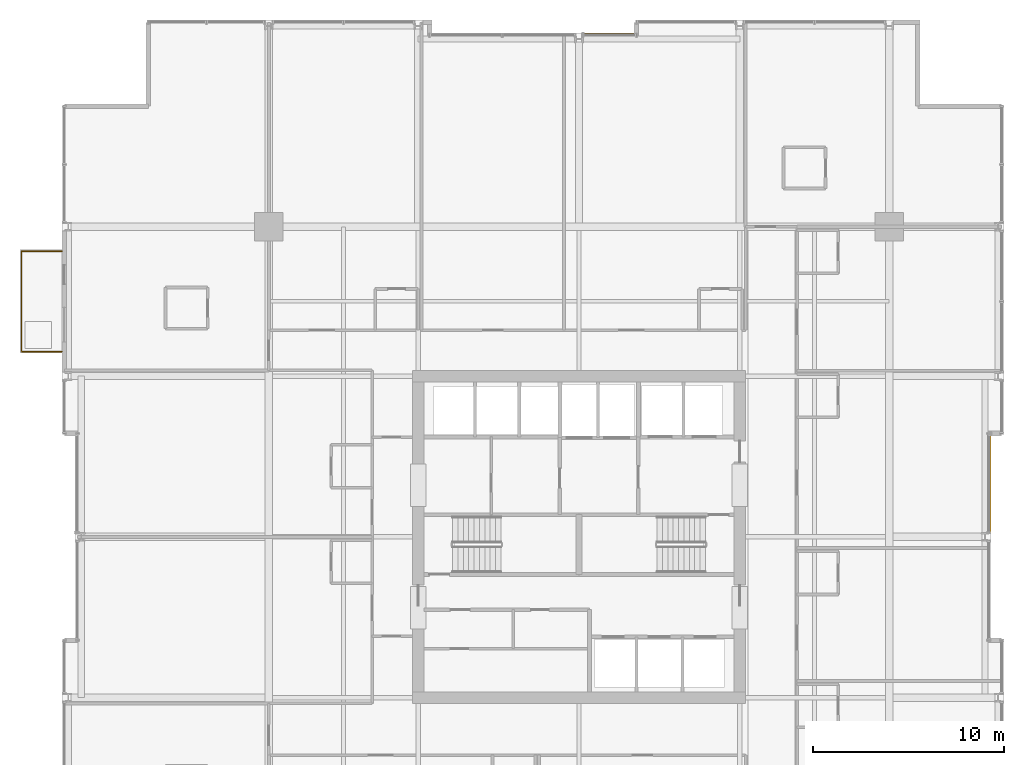
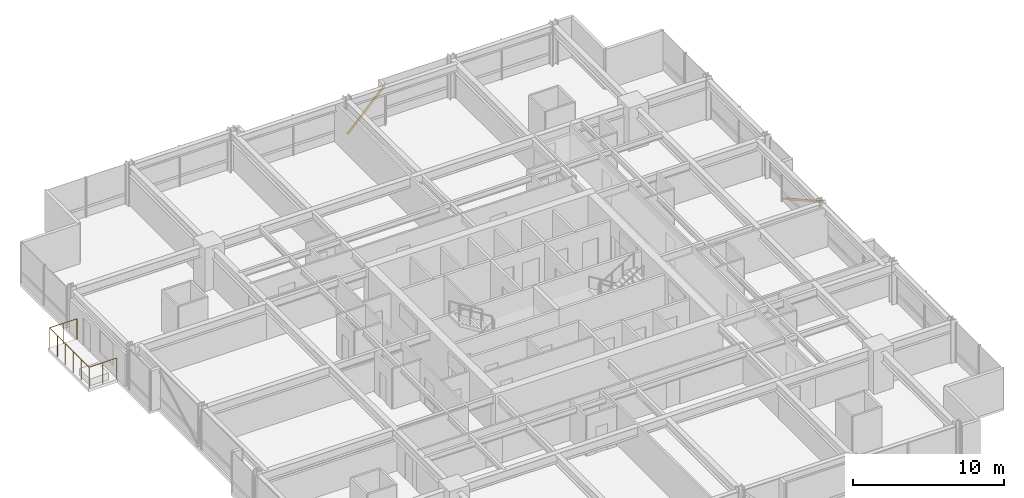
# One storey, part 34 of 34: 2 shading devices, 1 railing.
"""IFC4 building model written with IfcOpenShell, lengths in metres."""

import ifcopenshell
import ifcopenshell.guid

model = None  # the IFC model being written
_history = None  # IfcOwnerHistory: only IFC2X3 demands one
_inside = {}  # id of a spatial element -> (the spatial element, [elements in it])
_under = {}  # id of a project, library or spatial element -> (it, [spatial elements below it])
_declared = {}  # id of a project -> (the project, [libraries it declares])
_typed = {}  # id of a type object -> (the type object, [elements of that type])
_made_of = {}  # id of a material, layer set ... -> (it, [elements and type objects made of it])


def new_model(schema):
    """Start an empty IFC model of exactly this schema.

    Asked for "IFC4X3", IfcOpenShell would pick the latest addendum, in which some entities
    have other attributes; the version numbers below select the first issue.
    IFC2X3 requires an IfcOwnerHistory on every rooted entity: one is made here for all.
    """
    global model, _history
    if schema == "IFC4X3":
        model = ifcopenshell.file(schema_version=(4, 3, 0, 0))
    else:
        model = ifcopenshell.file(schema=schema)
    _inside.clear()
    _under.clear()
    _declared.clear()
    _typed.clear()
    _made_of.clear()
    _history = None
    if model.schema == "IFC2X3":
        org = make("IfcOrganization", Name="unknown")
        user = make(
            "IfcPersonAndOrganization",
            ThePerson=make("IfcPerson", FamilyName="unknown"),
            TheOrganization=org,
        )
        app = make(
            "IfcApplication",
            ApplicationDeveloper=org,
            Version="unknown",
            ApplicationFullName="unknown",
            ApplicationIdentifier="unknown",
        )
        _history = make(
            "IfcOwnerHistory",
            OwningUser=user,
            OwningApplication=app,
            ChangeAction="ADDED",
            CreationDate=0,
        )
    return model


def make(cls, **values):
    """One entity of the class cls with the attributes given. An attribute that is None is left unset."""
    return model.create_entity(
        cls, **{name: value for name, value in values.items() if value is not None}
    )


def rooted(cls, **values):
    """An entity with a GlobalId (a new one), such as an element, a storey or a relation."""
    return make(cls, GlobalId=ifcopenshell.guid.new(), OwnerHistory=_history, **values)


def si_unit(unit_type, name, prefix=None):
    """IfcSIUnit, for example si_unit("LENGTHUNIT", "METRE", prefix="MILLI")."""
    return make("IfcSIUnit", UnitType=unit_type, Prefix=prefix, Name=name)


def assignment(units):
    """IfcUnitAssignment: the units of a project."""
    return None if units is None else make("IfcUnitAssignment", Units=units)


def point(xyz):
    """IfcCartesianPoint."""
    return None if xyz is None else make("IfcCartesianPoint", Coordinates=xyz)


def direction(xyz):
    """IfcDirection."""
    return None if xyz is None else make("IfcDirection", DirectionRatios=xyz)


def frame(location, z_axis=None, x_axis=None):
    """IfcAxis2Placement3D, a coordinate frame: its origin and axes. An axis left out is left unset."""
    return make(
        "IfcAxis2Placement3D",
        Location=point(location),
        Axis=direction(z_axis),
        RefDirection=direction(x_axis),
    )


def frame_2d(location, x_axis=None):
    """IfcAxis2Placement2D, a coordinate frame in the plane: its origin and x axis."""
    return make(
        "IfcAxis2Placement2D", Location=point(location), RefDirection=direction(x_axis)
    )


def origin():
    """The frame at (0, 0, 0) with its axes left unset."""
    return frame((0.0, 0.0, 0.0))


def origin_2d():
    """The frame at (0, 0) in the plane with its x axis left unset."""
    return frame_2d((0.0, 0.0))


def place(relative_to, where):
    """IfcLocalPlacement: puts the frame where relative to a parent placement (None: the world)."""
    return make(
        "IfcLocalPlacement", PlacementRelTo=relative_to, RelativePlacement=where
    )


def context(
    kind, dimensions, precision=None, world=None, true_north=None, identifier=None
):
    """IfcGeometricRepresentationContext, for example the 3D "Model" context."""
    return make(
        "IfcGeometricRepresentationContext",
        ContextIdentifier=identifier,
        ContextType=kind,
        CoordinateSpaceDimension=dimensions,
        Precision=precision,
        WorldCoordinateSystem=world,
        TrueNorth=true_north,
    )


def subcontext(parent, identifier, kind, view, scale=None):
    """IfcGeometricRepresentationSubContext, for example "Body" below "Model"."""
    return make(
        "IfcGeometricRepresentationSubContext",
        ContextIdentifier=identifier,
        ContextType=kind,
        ParentContext=parent,
        TargetScale=scale,
        TargetView=view,
    )


def project(units=None, contexts=None):
    """IfcProject with its units and contexts."""
    return rooted(
        "IfcProject",
        Name="project",
        RepresentationContexts=contexts,
        UnitsInContext=assignment(units),
    )


def spatial(cls, under=None, at=None, **own):
    """A site, building, storey or space (cls), placed at a placement, below another one or the project."""
    s = rooted(cls, ObjectPlacement=at, **own)
    if under is not None:
        _under.setdefault(under.id(), (under, []))[1].append(s)
    return s


def profile(cls, at=None, kind="AREA", **sizes):
    """A parametric profile (cls). Its sizes go by their IFC names, for example OverallWidth=200.0."""
    return make(cls, ProfileType=kind, Position=at, **sizes)


def hollow_rectangle(**sizes):
    """IfcRectangleHollowProfileDef."""
    return profile("IfcRectangleHollowProfileDef", **sizes)


def circle(**sizes):
    """IfcCircleProfileDef."""
    return profile("IfcCircleProfileDef", **sizes)


def extrude(swept, where, along, depth):
    """IfcExtrudedAreaSolid: the profile swept, set in the frame where, extruded along a direction by depth."""
    return make(
        "IfcExtrudedAreaSolid",
        SweptArea=swept,
        Position=where,
        ExtrudedDirection=direction(along),
        Depth=depth,
    )


def shape(context_of_items, identifier, shape_type, items):
    """IfcShapeRepresentation: the items that make up one representation, for example the "Body"."""
    return make(
        "IfcShapeRepresentation",
        ContextOfItems=context_of_items,
        RepresentationIdentifier=identifier,
        RepresentationType=shape_type,
        Items=items,
    )


def material(Name=None, Category=None):
    """IfcMaterial."""
    return make("IfcMaterial", Name=Name, Category=Category)


def material_profile(
    of_material, cross_section, Name=None, Category=None, Priority=None
):
    """IfcMaterialProfile: a cross section and its material."""
    return make(
        "IfcMaterialProfile",
        Name=Name,
        Material=of_material,
        Profile=cross_section,
        Priority=Priority,
        Category=Category,
    )


def profile_set(profiles, Name=None, composite=None):
    """IfcMaterialProfileSet."""
    return make(
        "IfcMaterialProfileSet",
        Name=Name,
        MaterialProfiles=profiles,
        CompositeProfile=composite,
    )


def made_of(thing, what):
    """Note that an element or type object is made of a material, layer set ...; save() writes the relation."""
    if what is not None:
        _made_of.setdefault(what.id(), (what, []))[1].append(thing)
    return thing


def type_object(cls, material=None, **own):
    """A type object (cls), such as IfcWallType, which elements share."""
    return made_of(rooted(cls, **own), material)


def element(
    cls,
    number,
    at=None,
    inside=None,
    cuts=None,
    type_object=None,
    material=None,
    context=None,
    identifier="Body",
    shape_type=None,
    held_by="IfcProductDefinitionShape",
    body=None,
    shapes=None,
    **own,
):
    """One element of the class cls, such as IfcWall. Its Tag is "e" and its number.

    at: its placement. inside: the storey or other place that contains it. cuts: it is an
    opening in that element (IfcRelVoidsElement). A single representation is given by context,
    identifier, shape_type and body (its items); several are given by shapes. held_by: the class
    of the entity that holds the representations. save() writes the other relations.
    """
    e = rooted(cls, Tag="e%d" % number, ObjectPlacement=at, **own)
    if body is not None:
        shapes = [shape(context, identifier, shape_type, body)]
    if shapes is not None:
        e.Representation = make(held_by, Representations=shapes)
    if inside is not None:
        _inside.setdefault(inside.id(), (inside, []))[1].append(e)
    if cuts is not None:
        rooted(
            "IfcRelVoidsElement", RelatingBuildingElement=cuts, RelatedOpeningElement=e
        )
    if type_object is not None:
        _typed.setdefault(type_object.id(), (type_object, []))[1].append(e)
    return made_of(e, material)


def aggregate(whole, parts):
    """IfcRelAggregates: a whole, such as a stair, and the parts it consists of."""
    return rooted("IfcRelAggregates", RelatingObject=whole, RelatedObjects=parts)


def save(model, path):
    """Write the relations noted so far, then the file.

    IfcRelAggregates (storeys below a building ...), IfcRelContainedInSpatialStructure (elements
    in a storey), IfcRelDefinesByType, IfcRelAssociatesMaterial and IfcRelDeclares: one each for
    every whole, place, type object, material and project.
    """
    for whole, parts in _under.values():
        aggregate(whole, parts)
    for where, things in _inside.values():
        rooted(
            "IfcRelContainedInSpatialStructure",
            RelatedElements=things,
            RelatingStructure=where,
        )
    for kind, things in _typed.values():
        rooted("IfcRelDefinesByType", RelatedObjects=things, RelatingType=kind)
    for what, things in _made_of.values():
        rooted("IfcRelAssociatesMaterial", RelatedObjects=things, RelatingMaterial=what)
    for by, libraries in _declared.values():
        rooted("IfcRelDeclares", RelatingContext=by, RelatedDefinitions=libraries)
    model.write(path)


model = new_model("IFC4")

# Units and contexts
model_context = context("Model", 3, precision=1e-05, world=origin(), true_north=direction((0.0, 1.0)))
body_context = subcontext(model_context, "Body", "Model", "MODEL_VIEW")
ifc_project = project(units=[si_unit("LENGTHUNIT", "METRE"), si_unit("AREAUNIT", "SQUARE_METRE"), si_unit("VOLUMEUNIT", "CUBIC_METRE"), si_unit("PLANEANGLEUNIT", "RADIAN"), si_unit("MASSUNIT", "GRAM", prefix="KILO")], contexts=[model_context])

# Site, building, storey
site_placement = place(None, origin())
site = spatial("IfcSite", under=ifc_project, at=site_placement, CompositionType="ELEMENT")
building_placement = place(site_placement, origin())
building = spatial("IfcBuilding", under=site, at=building_placement, Name="Drelvath Grand Hotel", CompositionType="ELEMENT")
storey_placement = place(building_placement, frame((0.0, 0.0, 102.300048828125)))
storey = spatial("IfcBuildingStorey", under=building, at=storey_placement, Name="L25", CompositionType="ELEMENT", Elevation=102.300048828125)

# Shading devices
ifc_material_1 = material(Name="Champagne Bronze Anodised Aluminium", Category="aluminium")
ifc_material_profile = material_profile(ifc_material_1, hollow_rectangle(XDim=0.06494140625, YDim=0.159912109375, WallThickness=0.00390625, at=origin_2d()), Name="HSS160X65X4")
ifc_profile_set = profile_set([ifc_material_profile], Name="Champagne Bronze Anodised Aluminium")
shading_device_type = type_object("IfcShadingDeviceType", Name="Diagonal Solar Fin Champagne Anodised HSS160X65X4", PredefinedType="USERDEFINED", material=ifc_profile_set)
shading_device_1_placement = place(storey_placement, frame((21.47998046875, 32.39990234375, 0.179931640625), z_axis=(0.0, -0.8740056863, 0.4859156926), x_axis=(1.0, 0.0, 0.0)))
element("IfcShadingDevice", 1, at=shading_device_1_placement, inside=storey, type_object=shading_device_type, Name="L25 Diagonal Anodised Fin CW03-L25-EM2", ObjectType="FIN", PredefinedType="USERDEFINED", context=body_context, shape_type="SweptSolid", body=[
    extrude(hollow_rectangle(XDim=0.06494140625, YDim=0.159912109375, WallThickness=0.00390625, at=origin_2d()), origin(), (0.0, 0.0, 1.0), 5.92724609375),
])
shading_device_2_placement = place(storey_placement, frame((0.219482421875, 53.280029296875, 0.179931640625), z_axis=(0.694556420652, 0.0, 0.719438238163), x_axis=(0.0, 1.0, 0.0)))
element("IfcShadingDevice", 2, at=shading_device_2_placement, inside=storey, type_object=shading_device_type, Name="L25 Diagonal Anodised Fin CW03-L25-NM2", ObjectType="FIN", PredefinedType="USERDEFINED", context=body_context, shape_type="SweptSolid", body=[
    extrude(hollow_rectangle(XDim=0.06494140625, YDim=0.159912109375, WallThickness=0.00390625, at=origin_2d()), origin(), (0.0, 0.0, 1.0), 4.00341796875),
])

# Railing
ifc_material_2 = material(Name="Anodised Aluminium and Laminated Glass Balustrade", Category="aluminium")
railing_type = type_object("IfcRailingType", Name="Raised Planter Edge Balustrade 1700", PredefinedType="BALUSTRADE", material=ifc_material_2)
railing_placement = place(storey_placement, frame((-27.02001953125, 36.679931640625, 0.0)))
element("IfcRailing", 3, at=railing_placement, inside=storey, type_object=railing_type, Name="L25 Tree Balcony Perimeter Balustrade 1", PredefinedType="BALUSTRADE", context=body_context, shape_type="SweptSolid", body=[
    extrude(circle(Radius=0.02392578125, at=origin_2d()), frame((0.0, 0.0, 1.67578125), z_axis=(-1.0, 0.0, 0.0), x_axis=(0.0, -1.0, 0.0)), (0.0, 0.0, 1.0), 2.10009765625),
    extrude(circle(Radius=0.02392578125, at=origin_2d()), frame((-2.10009765625, 0.0, 1.67578125), z_axis=(0.0, 1.0, 0.0), x_axis=(-1.0, 0.0, 0.0)), (0.0, 0.0, 1.0), 5.239990234375),
    extrude(circle(Radius=0.02392578125, at=origin_2d()), frame((-2.10009765625, 5.239990234375, 1.67578125), z_axis=(1.0, 0.0, 0.0), x_axis=(0.0, 1.0, 0.0)), (0.0, 0.0, 1.0), 2.10009765625),
    extrude(circle(Radius=0.02099609375, at=origin_2d()), origin(), (0.0, 0.0, 1.0), 1.65185546875),
    extrude(circle(Radius=0.02099609375, at=origin_2d()), frame((-1.050048828125, 0.0, 0.0)), (0.0, 0.0, 1.0), 1.65185546875),
    extrude(circle(Radius=0.02099609375, at=origin_2d()), frame((-2.10009765625, 0.0, 0.0)), (0.0, 0.0, 1.0), 1.65185546875),
    extrude(circle(Radius=0.02099609375, at=origin_2d()), frame((-2.10009765625, 1.048095703125, 0.0)), (0.0, 0.0, 1.0), 1.65185546875),
    extrude(circle(Radius=0.02099609375, at=origin_2d()), frame((-2.10009765625, 2.095947265625, 0.0)), (0.0, 0.0, 1.0), 1.65185546875),
    extrude(circle(Radius=0.02099609375, at=origin_2d()), frame((-2.10009765625, 3.14404296875, 0.0)), (0.0, 0.0, 1.0), 1.65185546875),
    extrude(circle(Radius=0.02099609375, at=origin_2d()), frame((-2.10009765625, 4.19189453125, 0.0)), (0.0, 0.0, 1.0), 1.65185546875),
    extrude(circle(Radius=0.02099609375, at=origin_2d()), frame((-2.10009765625, 5.239990234375, 0.0)), (0.0, 0.0, 1.0), 1.65185546875),
    extrude(circle(Radius=0.02099609375, at=origin_2d()), frame((-1.050048828125, 5.239990234375, 0.0)), (0.0, 0.0, 1.0), 1.65185546875),
    extrude(circle(Radius=0.02099609375, at=origin_2d()), frame((0.0, 5.239990234375, 0.0)), (0.0, 0.0, 1.0), 1.65185546875),
])

save(model, "model.ifc")
